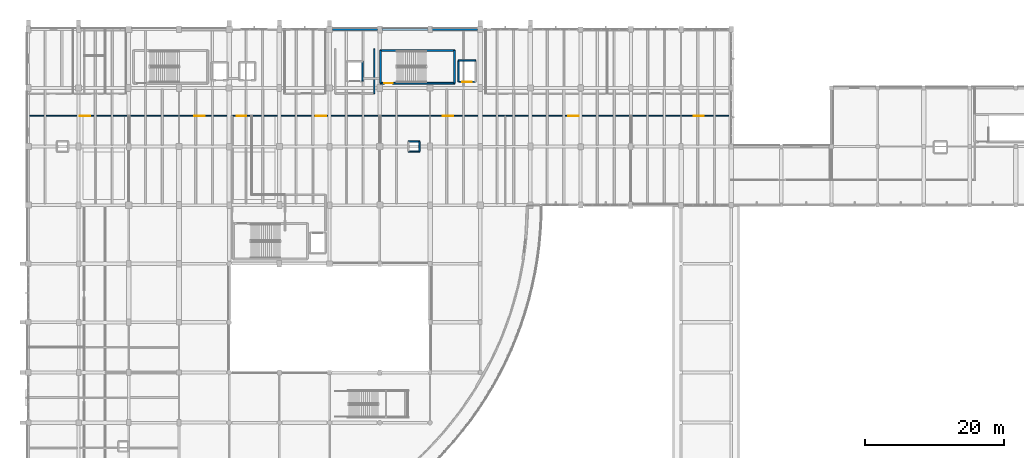
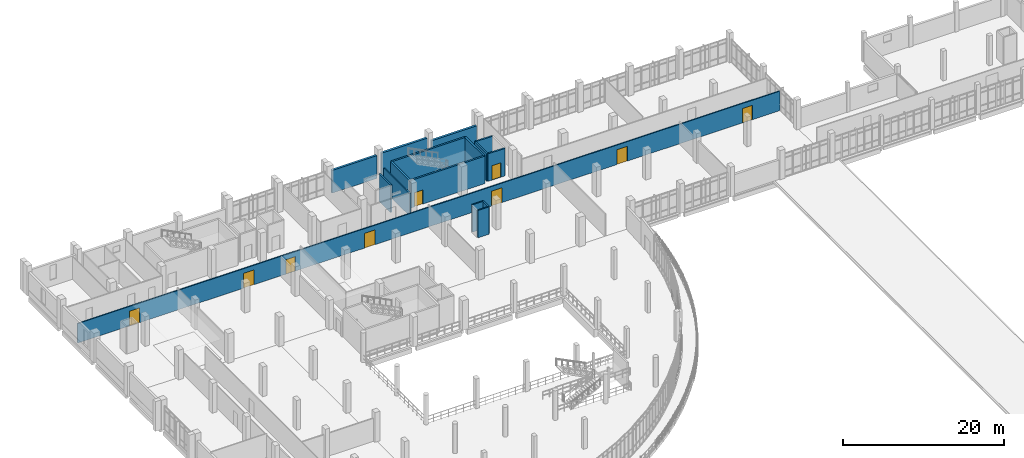
# One storey, part 117 of 134: 16 walls, 9 doors, 9 openings.
"""IFC4 building model written with IfcOpenShell, lengths in metres."""

from ifc_helpers import new_model, si_unit, direction, frame, frame_2d, origin, place, context, subcontext, project, spatial, rectangle, extrude, material, layer, layer_set, type_object, element, fill, save


model = new_model("IFC4")

# Units and contexts
model_context = context("Model", 3, precision=1e-05, world=origin(), true_north=direction((0.0, 1.0)))
body_context = subcontext(model_context, "Body", "Model", "MODEL_VIEW")
ifc_project = project(units=[si_unit("LENGTHUNIT", "METRE"), si_unit("AREAUNIT", "SQUARE_METRE"), si_unit("VOLUMEUNIT", "CUBIC_METRE"), si_unit("PLANEANGLEUNIT", "RADIAN"), si_unit("MASSUNIT", "GRAM", prefix="KILO")], contexts=[model_context])

# Site, building, storey
site_placement = place(None, origin())
site = spatial("IfcSite", under=ifc_project, at=site_placement, CompositionType="ELEMENT")
building_placement = place(site_placement, origin())
building = spatial("IfcBuilding", under=site, at=building_placement, Name="Kalluvel Institute of Natural Sciences", CompositionType="ELEMENT")
storey_placement = place(building_placement, frame((0.0, 0.0, 5.39990234375)))
storey = spatial("IfcBuildingStorey", under=building, at=storey_placement, Name="L01", CompositionType="ELEMENT", Elevation=5.39990234375)

# Wall, opening, door
ifc_material_1 = material(Name="Concrete M40", Category="concrete")
ifc_layer_1 = layer(ifc_material_1, 0.25)
ifc_layer_set_1 = layer_set([ifc_layer_1], Name="Concrete M40")
wall_type_1 = type_object("IfcWallType", Name="WL-CORE-250", PredefinedType="SHEAR", material=ifc_layer_set_1)
wall_1_placement = place(storey_placement, frame((64.485107421875, 120.284912109375, 0.0), z_axis=(0.0, 0.0, 1.0), x_axis=(1.0, 0.0, 0.0)))
wall_1 = element("IfcWall", 1, at=wall_1_placement, inside=storey, type_object=wall_type_1, Name="ST2 L01 core wall S", PredefinedType="SHEAR", context=body_context, shape_type="SweptSolid", body=[
    extrude(rectangle(XDim=10.6298828125, YDim=0.25, at=frame_2d((5.31494140625, 0.0))), origin(), (0.0, 0.0, 1.0), 4.175048828125),
])
opening_1_placement = place(wall_1_placement, frame((0.550048828125, 0.0, 0.0)))
opening_1 = element("IfcOpeningElement", 2, at=opening_1_placement, cuts=wall_1, Name="Opening DS-014", PredefinedType="OPENING", context=body_context, shape_type="SweptSolid", body=[
    extrude(rectangle(XDim=1.199951171875, YDim=2.14990234375, at=frame_2d((0.60009765625, 1.074951171875))), frame((0.0, 0.135009765625, 0.0), z_axis=(0.0, -1.0, 0.0), x_axis=(1.0, 0.0, 0.0)), (0.0, 0.0, 1.0), 0.27001953125),
])
ifc_material_2 = material(Name="Galvanized Fire-Rated Steel", Category="steel")
door_type_1 = type_object("IfcDoorType", Name="DR-ST-1200", OperationType="NOTDEFINED", PredefinedType="DOOR", material=ifc_material_2)
door_1_placement = place(opening_1_placement, origin())
door_1 = element("IfcDoor", 3, at=door_1_placement, inside=storey, type_object=door_type_1, Name="ST2 L01 protected stair door DS-014", OperationType="SINGLE_SWING_LEFT", OverallHeight=2.14990234375, OverallWidth=1.199951171875, PredefinedType="DOOR", context=body_context, shape_type="SweptSolid", body=[
    extrude(rectangle(XDim=1.199951171875, YDim=2.14990234375, at=frame_2d((0.60009765625, 1.074951171875))), frame((0.0, 0.02490234375, 0.0), z_axis=(0.0, -1.0, 0.0), x_axis=(1.0, 0.0, 0.0)), (0.0, 0.0, 1.0), 0.050048828125),
])
fill(opening_1, door_1)

# Walls
wall_2_placement = place(storey_placement, frame((75.114990234375, 120.284912109375, 0.0), z_axis=(0.0, 0.0, 1.0), x_axis=(0.0, 1.0, 0.0)))
element("IfcWall", 4, at=wall_2_placement, inside=storey, type_object=wall_type_1, Name="ST2 L01 core wall E", PredefinedType="SHEAR", context=body_context, shape_type="SweptSolid", body=[
    extrude(rectangle(XDim=4.7001953125, YDim=0.25, at=frame_2d((2.35009765625, 0.0))), origin(), (0.0, 0.0, 1.0), 4.175048828125),
])
wall_3_placement = place(storey_placement, frame((75.114990234375, 124.985107421875, 0.0), z_axis=(0.0, 0.0, 1.0), x_axis=(-1.0, 0.0, 0.0)))
element("IfcWall", 5, at=wall_3_placement, inside=storey, type_object=wall_type_1, Name="ST2 L01 core wall N", PredefinedType="SHEAR", context=body_context, shape_type="SweptSolid", body=[
    extrude(rectangle(XDim=10.6298828125, YDim=0.25, at=frame_2d((5.31494140625, 0.0))), origin(), (0.0, 0.0, 1.0), 4.175048828125),
])
wall_4_placement = place(storey_placement, frame((64.485107421875, 124.985107421875, 0.0), z_axis=(0.0, 0.0, 1.0), x_axis=(0.0, -1.0, 0.0)))
element("IfcWall", 6, at=wall_4_placement, inside=storey, type_object=wall_type_1, Name="ST2 L01 core wall W", PredefinedType="SHEAR", context=body_context, shape_type="SweptSolid", body=[
    extrude(rectangle(XDim=4.7001953125, YDim=0.25, at=frame_2d((2.35009765625, 0.0))), origin(), (0.0, 0.0, 1.0), 4.175048828125),
])
ifc_material_3 = material(Name="Sadarahalli Grey Granite Ashlar Concrete M40", Category="masonry")
ifc_layer_2 = layer(ifc_material_3, 0.320068359375)
ifc_layer_set_2 = layer_set([ifc_layer_2], Name="Sadarahalli Grey Granite Ashlar Concrete M40")
wall_type_2 = type_object("IfcWallType", Name="WL-EXT-320", PredefinedType="SOLIDWALL", material=ifc_layer_set_2)
wall_5_placement = place(storey_placement, frame((57.6298828125, 128.0, 0.0), z_axis=(0.0, 0.0, 1.0), x_axis=(1.0, 0.0, 0.0)))
element("IfcWall", 7, at=wall_5_placement, inside=storey, type_object=wall_type_2, Name="L01 Sadarahalli granite exterior wall WL-EXT-L01-0021", PredefinedType="SOLIDWALL", context=body_context, shape_type="SweptSolid", body=[
    extrude(rectangle(XDim=6.440185546875, YDim=0.320068359375, at=frame_2d((3.22021484375, 0.0))), origin(), (0.0, 0.0, 1.0), 3.455078125),
])
wall_6_placement = place(storey_placement, frame((64.72998046875, 128.0, 0.0), z_axis=(0.0, 0.0, 1.0), x_axis=(1.0, 0.0, 0.0)))
element("IfcWall", 8, at=wall_6_placement, inside=storey, type_object=wall_type_2, Name="L01 Sadarahalli granite exterior wall WL-EXT-L01-0022", PredefinedType="SOLIDWALL", context=body_context, shape_type="SweptSolid", body=[
    extrude(rectangle(XDim=6.56494140625, YDim=0.320068359375, at=frame_2d((3.282470703125, 0.0))), origin(), (0.0, 0.0, 1.0), 3.580078125),
])
wall_7_placement = place(storey_placement, frame((71.905029296875, 128.0, 0.0), z_axis=(0.0, 0.0, 1.0), x_axis=(1.0, 0.0, 0.0)))
element("IfcWall", 9, at=wall_7_placement, inside=storey, type_object=wall_type_2, Name="L01 Sadarahalli granite exterior wall WL-EXT-L01-0023", PredefinedType="SOLIDWALL", context=body_context, shape_type="SweptSolid", body=[
    extrude(rectangle(XDim=6.489990234375, YDim=0.320068359375, at=frame_2d((3.2451171875, 0.0))), origin(), (0.0, 0.0, 1.0), 2.955078125),
])
ifc_material_4 = material(Name="Autoclaved Aerated Concrete Masonry Block", Category="masonry")
ifc_layer_3 = layer(ifc_material_4, 0.199951171875)
ifc_layer_set_3 = layer_set([ifc_layer_3], Name="Autoclaved Aerated Concrete Masonry Block")
wall_type_3 = type_object("IfcWallType", Name="WL-FIRE-200", PredefinedType="SOLIDWALL", material=ifc_layer_set_3)
wall_8_placement = place(storey_placement, frame((63.60009765625, 118.800048828125, 0.0), z_axis=(0.0, 0.0, 1.0), x_axis=(0.0, 1.0, 0.0)))
element("IfcWall", 10, at=wall_8_placement, inside=storey, type_object=wall_type_3, Name="L01 interior fire wall WL-INT-L01-0080", PredefinedType="SOLIDWALL", context=body_context, shape_type="SweptSolid", body=[
    extrude(rectangle(XDim=6.39990234375, YDim=0.199951171875, at=frame_2d((3.199951171875, 0.0))), origin(), (0.0, 0.0, 1.0), 3.360107421875),
])

# Wall, openings, doors
ifc_layer_4 = layer(ifc_material_4, 0.159912109375)
ifc_layer_set_4 = layer_set([ifc_layer_4], Name="Autoclaved Aerated Concrete Masonry Block")
wall_type_4 = type_object("IfcWallType", Name="WL-PART-160", PredefinedType="PARTITIONING", material=ifc_layer_set_4)
wall_9_placement = place(storey_placement, frame((14.0, 115.60009765625, 0.0), z_axis=(0.0, 0.0, 1.0), x_axis=(1.0, 0.0, 0.0)))
wall_9 = element("IfcWall", 11, at=wall_9_placement, inside=storey, type_object=wall_type_4, Name="L01 interior partition wall WL-INT-L01-0099", PredefinedType="PARTITIONING", context=body_context, shape_type="SweptSolid", body=[
    extrude(rectangle(XDim=100.800048828125, YDim=0.159912109375, at=frame_2d((50.39990234375, 0.0))), origin(), (0.0, 0.0, 1.0), 2.960205078125),
])
opening_2_placement = place(wall_9_placement, frame((29.89990234375, 0.0, 0.0)))
opening_2 = element("IfcOpeningElement", 12, at=opening_2_placement, cuts=wall_9, Name="Opening D-101", PredefinedType="OPENING", context=body_context, shape_type="SweptSolid", body=[
    extrude(rectangle(XDim=1.35009765625, YDim=2.199951171875, at=frame_2d((0.675048828125, 1.10009765625))), frame((0.0, 0.08984375, 0.0), z_axis=(0.0, -1.0, 0.0), x_axis=(1.0, 0.0, 0.0)), (0.0, 0.0, 1.0), 0.179931640625),
])
opening_3_placement = place(wall_9_placement, frame((7.39990234375, 0.0, 0.0)))
opening_3 = element("IfcOpeningElement", 13, at=opening_3_placement, cuts=wall_9, Name="Opening D-102", PredefinedType="OPENING", context=body_context, shape_type="SweptSolid", body=[
    extrude(rectangle(XDim=1.5, YDim=2.25, at=frame_2d((0.75, 1.125))), frame((0.0, 0.08984375, 0.0), z_axis=(0.0, -1.0, 0.0), x_axis=(1.0, 0.0, 0.0)), (0.0, 0.0, 1.0), 0.179931640625),
])
opening_4_placement = place(wall_9_placement, frame((23.800048828125, 0.0, 0.0)))
opening_4 = element("IfcOpeningElement", 14, at=opening_4_placement, cuts=wall_9, Name="Opening D-103", PredefinedType="OPENING", context=body_context, shape_type="SweptSolid", body=[
    extrude(rectangle(XDim=1.5, YDim=2.25, at=frame_2d((0.75, 1.125))), frame((0.0, 0.08984375, 0.0), z_axis=(0.0, -1.0, 0.0), x_axis=(1.0, 0.0, 0.0)), (0.0, 0.0, 1.0), 0.179931640625),
])
opening_5_placement = place(wall_9_placement, frame((41.199951171875, 0.0, 0.0)))
opening_5 = element("IfcOpeningElement", 15, at=opening_5_placement, cuts=wall_9, Name="Opening D-104", PredefinedType="OPENING", context=body_context, shape_type="SweptSolid", body=[
    extrude(rectangle(XDim=1.5, YDim=2.25, at=frame_2d((0.75, 1.125))), frame((0.0, 0.08984375, 0.0), z_axis=(0.0, -1.0, 0.0), x_axis=(1.0, 0.0, 0.0)), (0.0, 0.0, 1.0), 0.179931640625),
])
opening_6_placement = place(wall_9_placement, frame((59.39990234375, 0.0, 0.0)))
opening_6 = element("IfcOpeningElement", 16, at=opening_6_placement, cuts=wall_9, Name="Opening D-105", PredefinedType="OPENING", context=body_context, shape_type="SweptSolid", body=[
    extrude(rectangle(XDim=1.5, YDim=2.25, at=frame_2d((0.75, 1.125))), frame((0.0, 0.08984375, 0.0), z_axis=(0.0, -1.0, 0.0), x_axis=(1.0, 0.0, 0.0)), (0.0, 0.0, 1.0), 0.179931640625),
])
opening_7_placement = place(wall_9_placement, frame((77.39990234375, 0.0, 0.0)))
opening_7 = element("IfcOpeningElement", 17, at=opening_7_placement, cuts=wall_9, Name="Opening D-106", PredefinedType="OPENING", context=body_context, shape_type="SweptSolid", body=[
    extrude(rectangle(XDim=1.5, YDim=2.25, at=frame_2d((0.75, 1.125))), frame((0.0, 0.08984375, 0.0), z_axis=(0.0, -1.0, 0.0), x_axis=(1.0, 0.0, 0.0)), (0.0, 0.0, 1.0), 0.179931640625),
])
opening_8_placement = place(wall_9_placement, frame((95.39990234375, 0.0, 0.0)))
opening_8 = element("IfcOpeningElement", 18, at=opening_8_placement, cuts=wall_9, Name="Opening D-107", PredefinedType="OPENING", context=body_context, shape_type="SweptSolid", body=[
    extrude(rectangle(XDim=1.449951171875, YDim=2.199951171875, at=frame_2d((0.72509765625, 1.10009765625))), frame((0.0, 0.08984375, 0.0), z_axis=(0.0, -1.0, 0.0), x_axis=(1.0, 0.0, 0.0)), (0.0, 0.0, 1.0), 0.179931640625),
])
ifc_material_5 = material(Name="Aluminium AW-6063 T6", Category="aluminium")
door_type_2 = type_object("IfcDoorType", Name="DR-DBL-1450", OperationType="NOTDEFINED", PredefinedType="DOOR", material=ifc_material_5)
door_2_placement = place(opening_8_placement, origin())
door_2 = element("IfcDoor", 19, at=door_2_placement, inside=storey, type_object=door_type_2, Name="Controlled Growth Chamber Suite door D-107", OperationType="DOUBLE_DOOR_SINGLE_SWING", OverallHeight=2.199951171875, OverallWidth=1.449951171875, PredefinedType="DOOR", context=body_context, shape_type="SweptSolid", body=[
    extrude(rectangle(XDim=1.449951171875, YDim=2.199951171875, at=frame_2d((0.72509765625, 1.10009765625))), frame((0.0, 0.02490234375, 0.0), z_axis=(0.0, -1.0, 0.0), x_axis=(1.0, 0.0, 0.0)), (0.0, 0.0, 1.0), 0.050048828125),
])
fill(opening_8, door_2)
door_type_3 = type_object("IfcDoorType", Name="DR-INT-1350", OperationType="NOTDEFINED", PredefinedType="DOOR", material=ifc_material_5)
door_3_placement = place(opening_2_placement, origin())
door_3 = element("IfcDoor", 20, at=door_3_placement, inside=storey, type_object=door_type_3, Name="L01 Knuckle to Spine door D-101", OperationType="SINGLE_SWING_RIGHT", OverallHeight=2.199951171875, OverallWidth=1.35009765625, PredefinedType="DOOR", context=body_context, shape_type="SweptSolid", body=[
    extrude(rectangle(XDim=1.35009765625, YDim=2.199951171875, at=frame_2d((0.675048828125, 1.10009765625))), frame((0.0, 0.02490234375, 0.0), z_axis=(0.0, -1.0, 0.0), x_axis=(1.0, 0.0, 0.0)), (0.0, 0.0, 1.0), 0.050048828125),
])
fill(opening_2, door_3)
door_type_4 = type_object("IfcDoorType", Name="DR-LAB-1500", OperationType="NOTDEFINED", PredefinedType="DOOR", material=ifc_material_5)
door_4_placement = place(opening_3_placement, origin())
door_4 = element("IfcDoor", 21, at=door_4_placement, inside=storey, type_object=door_type_4, Name="Plant Physiology Wet Laboratory door D-102", OperationType="DOUBLE_DOOR_SINGLE_SWING", OverallHeight=2.25, OverallWidth=1.5, PredefinedType="DOOR", context=body_context, shape_type="SweptSolid", body=[
    extrude(rectangle(XDim=1.5, YDim=2.25, at=frame_2d((0.75, 1.125))), frame((0.0, 0.02490234375, 0.0), z_axis=(0.0, -1.0, 0.0), x_axis=(1.0, 0.0, 0.0)), (0.0, 0.0, 1.0), 0.050048828125),
])
fill(opening_3, door_4)
door_5_placement = place(opening_4_placement, origin())
door_5 = element("IfcDoor", 22, at=door_5_placement, inside=storey, type_object=door_type_4, Name="Soil Microbiome and Mycology Wet Laboratory door D-103", OperationType="DOUBLE_DOOR_SINGLE_SWING", OverallHeight=2.25, OverallWidth=1.5, PredefinedType="DOOR", context=body_context, shape_type="SweptSolid", body=[
    extrude(rectangle(XDim=1.5, YDim=2.25, at=frame_2d((0.75, 1.125))), frame((0.0, 0.02490234375, 0.0), z_axis=(0.0, -1.0, 0.0), x_axis=(1.0, 0.0, 0.0)), (0.0, 0.0, 1.0), 0.050048828125),
])
fill(opening_4, door_5)
door_6_placement = place(opening_5_placement, origin())
door_6 = element("IfcDoor", 23, at=door_6_placement, inside=storey, type_object=door_type_4, Name="Tropical Forest Ecology Wet Laboratory door D-104", OperationType="DOUBLE_DOOR_SINGLE_SWING", OverallHeight=2.25, OverallWidth=1.5, PredefinedType="DOOR", context=body_context, shape_type="SweptSolid", body=[
    extrude(rectangle(XDim=1.5, YDim=2.25, at=frame_2d((0.75, 1.125))), frame((0.0, 0.02490234375, 0.0), z_axis=(0.0, -1.0, 0.0), x_axis=(1.0, 0.0, 0.0)), (0.0, 0.0, 1.0), 0.050048828125),
])
fill(opening_5, door_6)
door_7_placement = place(opening_6_placement, origin())
door_7 = element("IfcDoor", 24, at=door_7_placement, inside=storey, type_object=door_type_4, Name="Freshwater Limnology and Isotope Laboratory door D-105", OperationType="DOUBLE_DOOR_SINGLE_SWING", OverallHeight=2.25, OverallWidth=1.5, PredefinedType="DOOR", context=body_context, shape_type="SweptSolid", body=[
    extrude(rectangle(XDim=1.5, YDim=2.25, at=frame_2d((0.75, 1.125))), frame((0.0, 0.02490234375, 0.0), z_axis=(0.0, -1.0, 0.0), x_axis=(1.0, 0.0, 0.0)), (0.0, 0.0, 1.0), 0.050048828125),
])
fill(opening_6, door_7)
door_8_placement = place(opening_7_placement, origin())
door_8 = element("IfcDoor", 25, at=door_8_placement, inside=storey, type_object=door_type_4, Name="Molecular Taxonomy Wet Laboratory door D-106", OperationType="DOUBLE_DOOR_SINGLE_SWING", OverallHeight=2.25, OverallWidth=1.5, PredefinedType="DOOR", context=body_context, shape_type="SweptSolid", body=[
    extrude(rectangle(XDim=1.5, YDim=2.25, at=frame_2d((0.75, 1.125))), frame((0.0, 0.02490234375, 0.0), z_axis=(0.0, -1.0, 0.0), x_axis=(1.0, 0.0, 0.0)), (0.0, 0.0, 1.0), 0.050048828125),
])
fill(opening_7, door_8)

# Walls
ifc_layer_5 = layer(ifc_material_1, 0.199951171875)
ifc_layer_set_5 = layer_set([ifc_layer_5], Name="Concrete M40")
wall_type_5 = type_object("IfcWallType", Name="WL-RISER-200", PredefinedType="SHEAR", material=ifc_layer_set_5)
wall_10_placement = place(storey_placement, frame((68.5, 110.5, 0.0), z_axis=(0.0, 0.0, 1.0), x_axis=(1.0, 0.0, 0.0)))
element("IfcWall", 26, at=wall_10_placement, inside=storey, type_object=wall_type_5, Name="RS-WET-E L01 service riser enclosure S", PredefinedType="SHEAR", context=body_context, shape_type="SweptSolid", body=[
    extrude(rectangle(XDim=1.60009765625, YDim=0.199951171875, at=frame_2d((0.800048828125, 0.0))), origin(), (0.0, 0.0, 1.0), 4.14013671875),
])
wall_11_placement = place(storey_placement, frame((70.10009765625, 110.5, 0.0), z_axis=(0.0, 0.0, 1.0), x_axis=(0.0, 1.0, 0.0)))
element("IfcWall", 27, at=wall_11_placement, inside=storey, type_object=wall_type_5, Name="RS-WET-E L01 service riser enclosure E", PredefinedType="SHEAR", context=body_context, shape_type="SweptSolid", body=[
    extrude(rectangle(XDim=1.39990234375, YDim=0.199951171875, at=frame_2d((0.699951171875, 0.0))), origin(), (0.0, 0.0, 1.0), 4.14013671875),
])
wall_12_placement = place(storey_placement, frame((70.10009765625, 111.89990234375, 0.0), z_axis=(0.0, 0.0, 1.0), x_axis=(-1.0, 0.0, 0.0)))
element("IfcWall", 28, at=wall_12_placement, inside=storey, type_object=wall_type_5, Name="RS-WET-E L01 service riser enclosure N", PredefinedType="SHEAR", context=body_context, shape_type="SweptSolid", body=[
    extrude(rectangle(XDim=1.60009765625, YDim=0.199951171875, at=frame_2d((0.800048828125, 0.0))), origin(), (0.0, 0.0, 1.0), 4.14013671875),
])
ifc_layer_6 = layer(ifc_material_1, 0.219970703125)
ifc_layer_set_6 = layer_set([ifc_layer_6], Name="Concrete M40")
wall_type_6 = type_object("IfcWallType", Name="WL-SHAFT-220", PredefinedType="SHEAR", material=ifc_layer_set_6)
wall_13_placement = place(storey_placement, frame((61.929931640625, 120.570068359375, 0.0), z_axis=(0.0, 0.0, 1.0), x_axis=(0.0, 1.0, 0.0)))
element("IfcWall", 29, at=wall_13_placement, inside=storey, type_object=wall_type_6, Name="LF3 L01 lift shaft wall", PredefinedType="SHEAR", context=body_context, shape_type="SweptSolid", body=[
    extrude(rectangle(XDim=2.85986328125, YDim=0.219970703125, at=frame_2d((1.429931640625, 0.0))), origin(), (0.0, 0.0, 1.0), 4.175048828125),
])

# Wall, opening, door
wall_14_placement = place(storey_placement, frame((75.669921875, 120.469970703125, 0.0), z_axis=(0.0, 0.0, 1.0), x_axis=(1.0, 0.0, 0.0)))
wall_14 = element("IfcWall", 30, at=wall_14_placement, inside=storey, type_object=wall_type_6, Name="LF4 L01 lift shaft wall", PredefinedType="SHEAR", context=body_context, shape_type="SweptSolid", body=[
    extrude(rectangle(XDim=2.4599609375, YDim=0.219970703125, at=frame_2d((1.22998046875, 0.0))), origin(), (0.0, 0.0, 1.0), 4.175048828125),
])
opening_9_placement = place(wall_14_placement, frame((0.580078125, 0.0, 0.0)))
opening_9 = element("IfcOpeningElement", 31, at=opening_9_placement, cuts=wall_14, Name="Opening LD-033", PredefinedType="OPENING", context=body_context, shape_type="SweptSolid", body=[
    extrude(rectangle(XDim=1.300048828125, YDim=2.199951171875, at=frame_2d((0.64990234375, 1.10009765625))), frame((0.0, 0.119873046875, 0.0), z_axis=(0.0, -1.0, 0.0), x_axis=(1.0, 0.0, 0.0)), (0.0, 0.0, 1.0), 0.239990234375),
])
door_type_5 = type_object("IfcDoorType", Name="DR-LD-1300", OperationType="NOTDEFINED", PredefinedType="DOOR", material=ifc_material_2)
door_9_placement = place(opening_9_placement, origin())
door_9 = element("IfcDoor", 32, at=door_9_placement, inside=storey, type_object=door_type_5, Name="LF4 L01 sliding lift landing door LD-033", OperationType="DOUBLE_DOOR_SLIDING", OverallHeight=2.199951171875, OverallWidth=1.300048828125, PredefinedType="DOOR", context=body_context, shape_type="SweptSolid", body=[
    extrude(rectangle(XDim=1.300048828125, YDim=2.199951171875, at=frame_2d((0.64990234375, 1.10009765625))), frame((0.0, 0.02490234375, 0.0), z_axis=(0.0, -1.0, 0.0), x_axis=(1.0, 0.0, 0.0)), (0.0, 0.0, 1.0), 0.050048828125),
])
fill(opening_9, door_9)

# Walls
wall_15_placement = place(storey_placement, frame((78.1298828125, 123.530029296875, 0.0), z_axis=(0.0, 0.0, 1.0), x_axis=(-1.0, 0.0, 0.0)))
element("IfcWall", 33, at=wall_15_placement, inside=storey, type_object=wall_type_6, Name="LF4 L01 lift shaft wall", PredefinedType="SHEAR", context=body_context, shape_type="SweptSolid", body=[
    extrude(rectangle(XDim=2.4599609375, YDim=0.219970703125, at=frame_2d((1.22998046875, 0.0))), origin(), (0.0, 0.0, 1.0), 4.175048828125),
])
wall_16_placement = place(storey_placement, frame((75.669921875, 123.530029296875, 0.0), z_axis=(0.0, 0.0, 1.0), x_axis=(0.0, -1.0, 0.0)))
element("IfcWall", 34, at=wall_16_placement, inside=storey, type_object=wall_type_6, Name="LF4 L01 lift shaft wall", PredefinedType="SHEAR", context=body_context, shape_type="SweptSolid", body=[
    extrude(rectangle(XDim=3.06005859375, YDim=0.219970703125, at=frame_2d((1.530029296875, 0.0))), origin(), (0.0, 0.0, 1.0), 4.175048828125),
])

save(model, "model.ifc")
